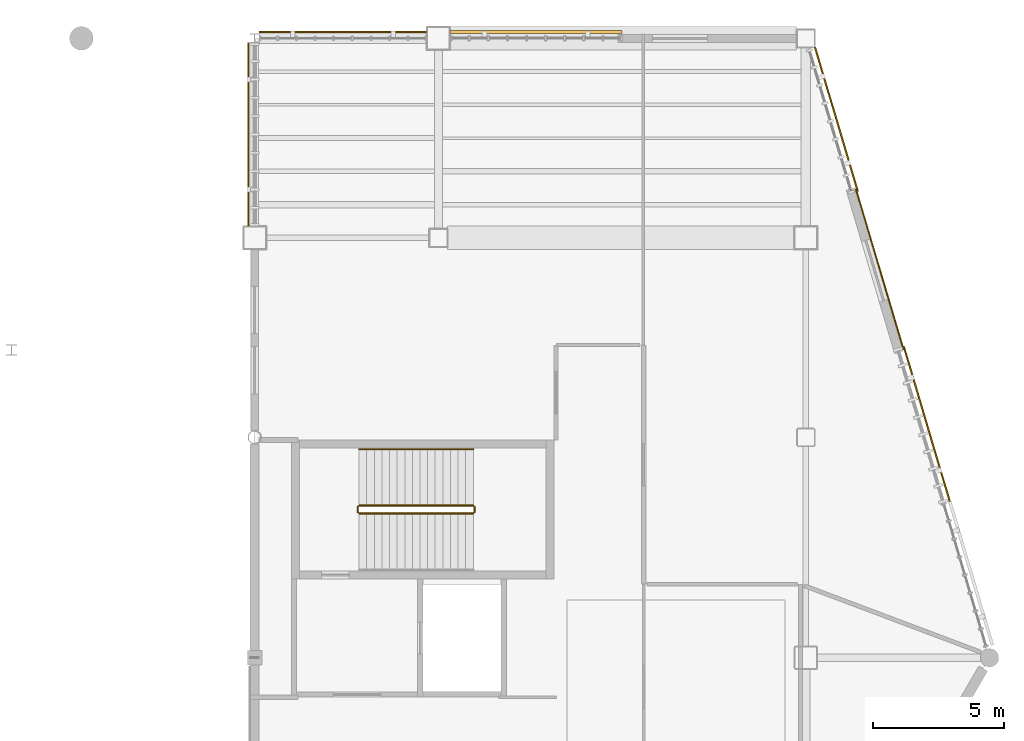
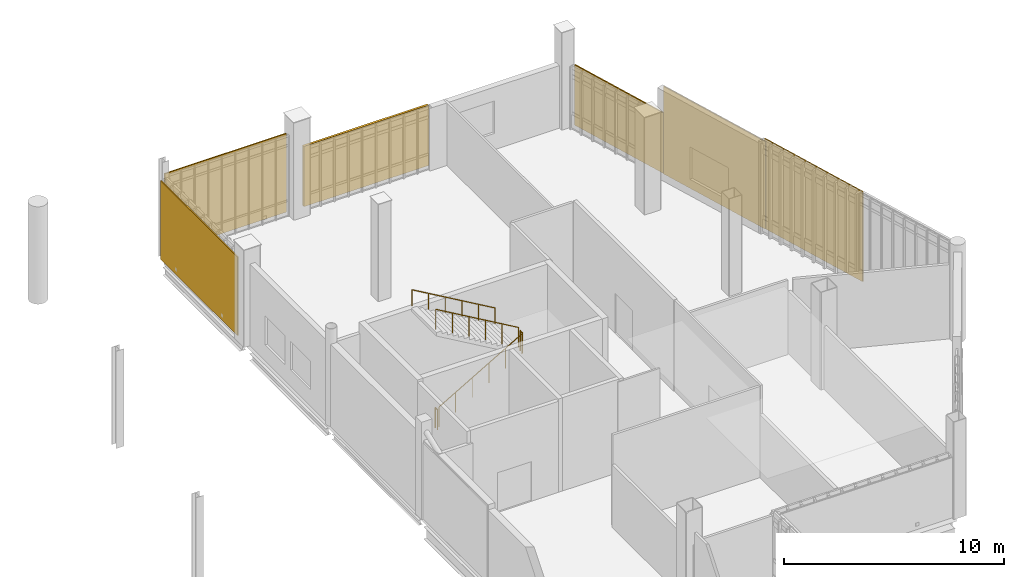
# One storey, part 127 of 127: 5 railings, 5 shading devices, 1 covering.
"""IFC4 building model written with IfcOpenShell, lengths in metres."""

from ifc_helpers import new_model, si_unit, direction, frame, origin, origin_2d, place, context, subcontext, project, spatial, rectangle, circle, extrude, material, layer, layer_set, type_object, element, save


model = new_model("IFC4")

# Units and contexts
model_context = context("Model", 3, precision=1e-05, world=origin(), true_north=direction((0.0, 1.0)))
body_context = subcontext(model_context, "Body", "Model", "MODEL_VIEW")
ifc_project = project(units=[si_unit("LENGTHUNIT", "METRE"), si_unit("AREAUNIT", "SQUARE_METRE"), si_unit("VOLUMEUNIT", "CUBIC_METRE"), si_unit("PLANEANGLEUNIT", "RADIAN"), si_unit("MASSUNIT", "GRAM", prefix="KILO")], contexts=[model_context])

# Site, building, storey
site_placement = place(None, origin())
site = spatial("IfcSite", under=ifc_project, at=site_placement, CompositionType="ELEMENT")
building_placement = place(site_placement, origin())
building = spatial("IfcBuilding", under=site, at=building_placement, Name="Larkvane Passage Sports Hall", CompositionType="ELEMENT")
storey_placement = place(building_placement, frame((0.0, 0.0, 5.39990234375)))
storey = spatial("IfcBuildingStorey", under=building, at=storey_placement, Name="L01", CompositionType="ELEMENT", Elevation=5.39990234375)

# Covering
ifc_material_1 = material(Name="Perforated anodised aluminium 5052-H32", Category="aluminium")
ifc_layer_1 = layer(ifc_material_1, 0.050048828125)
ifc_layer_set_1 = layer_set([ifc_layer_1], Name="Perforated anodised aluminium 5052-H32")
covering_type = type_object("IfcCoveringType", Name="COV-MESH-VEIL", PredefinedType="CLADDING", material=ifc_layer_set_1)
covering_placement = place(storey_placement, frame((148.414306640625, 90.40625, 0.074951171875), z_axis=(0.0, 0.0, 1.0), x_axis=(0.284364947432, -0.958716108487, 0.0)))
element("IfcCovering", 1, at=covering_placement, inside=storey, type_object=covering_type, Name="Perforated cladding cassette L01-092", PredefinedType="CLADDING", context=body_context, shape_type="SweptSolid", body=[
    extrude(rectangle(XDim=6.38525390625, YDim=0.050048828125, at=origin_2d()), origin(), (0.0, 0.0, 1.0), 4.85009765625),
])

# Railings
ifc_material_2 = material(Name="Steel S355JR", Category="steel")
railing_type_1 = type_object("IfcRailingType", Name="RL-GUARD-1120", PredefinedType="GUARDRAIL", material=ifc_material_2)
railing_1_placement = place(storey_placement, frame((128.580078125, 81.10009765625, 0.1689453125)))
element("IfcRailing", 2, at=railing_1_placement, inside=storey, type_object=railing_type_1, Name="L01 ST-06 stair guard 1", PredefinedType="GUARDRAIL", context=body_context, shape_type="SweptSolid", body=[
    extrude(circle(Radius=0.02392578125, at=origin_2d()), frame((0.001708984375, 0.0, 1.09716796875), z_axis=(0.864311530196, 0.0, 0.502956835891), x_axis=(0.0, 1.0, 0.0)), (0.0, 0.0, 1.0), 5.02880859375),
    extrude(circle(Radius=0.02099609375, at=origin_2d()), origin(), (0.0, 0.0, 1.0), 1.072021484375),
    extrude(circle(Radius=0.02099609375, at=origin_2d()), frame((0.869873046875, 0.0, 0.50634765625)), (0.0, 0.0, 1.0), 1.072021484375),
    extrude(circle(Radius=0.02099609375, at=origin_2d()), frame((1.739990234375, 0.0, 1.012451171875)), (0.0, 0.0, 1.0), 1.072021484375),
    extrude(circle(Radius=0.02099609375, at=origin_2d()), frame((2.60986328125, 0.0, 1.518798828125)), (0.0, 0.0, 1.0), 1.072021484375),
    extrude(circle(Radius=0.02099609375, at=origin_2d()), frame((3.47998046875, 0.0, 2.02490234375)), (0.0, 0.0, 1.0), 1.072021484375),
    extrude(circle(Radius=0.02099609375, at=origin_2d()), frame((4.349853515625, 0.0, 2.53125)), (0.0, 0.0, 1.0), 1.072021484375),
])
railing_2_placement = place(storey_placement, frame((132.97998046875, 81.14990234375, 2.7001953125)))
element("IfcRailing", 3, at=railing_2_placement, inside=storey, type_object=railing_type_1, Name="L01 ST-06 stair guard 2", PredefinedType="GUARDRAIL", context=body_context, shape_type="SweptSolid", body=[
    extrude(circle(Radius=0.02392578125, at=origin_2d()), frame((0.0, 0.001953125, 1.09619140625), z_axis=(0.0, 1.0, 0.0), x_axis=(-1.0, 0.0, 0.0)), (0.0, 0.0, 1.0), 0.1962890625),
    extrude(circle(Radius=0.02099609375, at=origin_2d()), origin(), (0.0, 0.0, 1.0), 1.072021484375),
    extrude(circle(Radius=0.02099609375, at=origin_2d()), frame((0.0, 0.2001953125, 0.0)), (0.0, 0.0, 1.0), 1.072021484375),
])
railing_3_placement = place(storey_placement, frame((132.929931640625, 81.39990234375, 2.868896484375)))
element("IfcRailing", 4, at=railing_3_placement, inside=storey, type_object=railing_type_1, Name="L01 ST-06 stair guard 3", PredefinedType="GUARDRAIL", context=body_context, shape_type="SweptSolid", body=[
    extrude(circle(Radius=0.02392578125, at=origin_2d()), frame((-0.001708984375, 0.0, 1.09716796875), z_axis=(-0.864311530196, 0.0, 0.502956835891), x_axis=(0.0, -1.0, 0.0)), (0.0, 0.0, 1.0), 5.02880859375),
    extrude(circle(Radius=0.02099609375, at=origin_2d()), origin(), (0.0, 0.0, 1.0), 1.072021484375),
    extrude(circle(Radius=0.02099609375, at=origin_2d()), frame((-0.869873046875, 0.0, 0.50634765625)), (0.0, 0.0, 1.0), 1.072021484375),
    extrude(circle(Radius=0.02099609375, at=origin_2d()), frame((-1.739990234375, 0.0, 1.012451171875)), (0.0, 0.0, 1.0), 1.072021484375),
    extrude(circle(Radius=0.02099609375, at=origin_2d()), frame((-2.60986328125, 0.0, 1.518798828125)), (0.0, 0.0, 1.0), 1.072021484375),
    extrude(circle(Radius=0.02099609375, at=origin_2d()), frame((-3.47998046875, 0.0, 2.02490234375)), (0.0, 0.0, 1.0), 1.072021484375),
    extrude(circle(Radius=0.02099609375, at=origin_2d()), frame((-4.349853515625, 0.0, 2.53125)), (0.0, 0.0, 1.0), 1.072021484375),
])
railing_4_placement = place(storey_placement, frame((128.530029296875, 81.14990234375, 0.0)))
element("IfcRailing", 5, at=railing_4_placement, inside=storey, type_object=railing_type_1, Name="L01 ST-06 stair guard 4", PredefinedType="GUARDRAIL", context=body_context, shape_type="SweptSolid", body=[
    extrude(circle(Radius=0.02392578125, at=origin_2d()), frame((0.0, 0.001953125, 1.09619140625), z_axis=(0.0, 1.0, 0.0), x_axis=(-1.0, 0.0, 0.0)), (0.0, 0.0, 1.0), 0.1962890625),
    extrude(circle(Radius=0.02099609375, at=origin_2d()), origin(), (0.0, 0.0, 1.0), 1.072021484375),
    extrude(circle(Radius=0.02099609375, at=origin_2d()), frame((0.0, 0.2001953125, 0.0)), (0.0, 0.0, 1.0), 1.072021484375),
])
ifc_material_3 = material(Name="Stainless steel S355JR", Category="steel")
railing_type_2 = type_object("IfcRailingType", Name="RL-HAND-920", PredefinedType="HANDRAIL", material=ifc_material_3)
railing_5_placement = place(storey_placement, frame((132.929931640625, 83.550048828125, 2.868896484375)))
element("IfcRailing", 6, at=railing_5_placement, inside=storey, type_object=railing_type_2, Name="L01 ST-06 stair handrail 2", PredefinedType="HANDRAIL", context=body_context, shape_type="SweptSolid", body=[
    extrude(circle(Radius=0.02392578125, at=origin_2d()), frame((-0.001708984375, 0.0, 0.876953125), z_axis=(-0.864311530196, 0.0, 0.502956835891), x_axis=(0.0, -1.0, 0.0)), (0.0, 0.0, 1.0), 5.02880859375),
    extrude(circle(Radius=0.02099609375, at=origin_2d()), origin(), (0.0, 0.0, 1.0), 0.851806640625),
    extrude(circle(Radius=0.02099609375, at=origin_2d()), frame((-0.869873046875, 0.0, 0.50634765625)), (0.0, 0.0, 1.0), 0.851806640625),
    extrude(circle(Radius=0.02099609375, at=origin_2d()), frame((-1.739990234375, 0.0, 1.012451171875)), (0.0, 0.0, 1.0), 0.851806640625),
    extrude(circle(Radius=0.02099609375, at=origin_2d()), frame((-2.60986328125, 0.0, 1.518798828125)), (0.0, 0.0, 1.0), 0.851806640625),
    extrude(circle(Radius=0.02099609375, at=origin_2d()), frame((-3.47998046875, 0.0, 2.02490234375)), (0.0, 0.0, 1.0), 0.851806640625),
    extrude(circle(Radius=0.02099609375, at=origin_2d()), frame((-4.349853515625, 0.0, 2.53125)), (0.0, 0.0, 1.0), 0.851806640625),
])

# Shading devices
ifc_material_4 = material(Name="Extruded aluminium 6063-T6", Category="aluminium")
ifc_layer_2 = layer(ifc_material_4, 0.1201171875)
ifc_layer_set_2 = layer_set([ifc_layer_2], Name="Extruded aluminium 6063-T6")
shading_device_type_1 = type_object("IfcShadingDeviceType", Name="SHD-LOUVRE-STORM", PredefinedType="JALOUSIE", material=ifc_layer_set_2)
shading_device_1_placement = place(storey_placement, frame((135.322998046875, 99.43994140625, 0.06005859375), z_axis=(0.0, 0.0, 1.0), x_axis=(1.0, 0.0, 0.0)))
element("IfcShadingDevice", 7, at=shading_device_1_placement, inside=storey, type_object=shading_device_type_1, Name="Solar veil screen L01-033", PredefinedType="JALOUSIE", context=body_context, shape_type="SweptSolid", body=[
    extrude(rectangle(XDim=6.553955078125, YDim=0.1201171875, at=origin_2d()), origin(), (0.0, 0.0, 1.0), 3.347900390625),
])
ifc_layer_3 = layer(ifc_material_1, 0.06005859375)
ifc_layer_set_3 = layer_set([ifc_layer_3], Name="Perforated anodised aluminium 5052-H32")
shading_device_type_2 = type_object("IfcShadingDeviceType", Name="SHD-VEIL-PERF", PredefinedType="SHUTTER", material=ifc_layer_set_3)
shading_device_2_placement = place(storey_placement, frame((124.360107421875, 95.53759765625, 0.06005859375), z_axis=(0.0, 0.0, 1.0), x_axis=(0.0, 1.0, 0.0)))
element("IfcShadingDevice", 8, at=shading_device_2_placement, inside=storey, type_object=shading_device_type_2, Name="Solar veil screen L01-031", PredefinedType="SHUTTER", context=body_context, shape_type="SweptSolid", body=[
    extrude(rectangle(XDim=6.98291015625, YDim=0.06005859375, at=origin_2d()), origin(), (0.0, 0.0, 1.0), 4.360107421875),
])
shading_device_3_placement = place(storey_placement, frame((127.96240234375, 99.43994140625, 0.06005859375), z_axis=(0.0, 0.0, 1.0), x_axis=(1.0, 0.0, 0.0)))
element("IfcShadingDevice", 9, at=shading_device_3_placement, inside=storey, type_object=shading_device_type_2, Name="Solar veil screen L01-032", PredefinedType="SHUTTER", context=body_context, shape_type="SweptSolid", body=[
    extrude(rectangle(XDim=6.383056640625, YDim=0.06005859375, at=origin_2d()), origin(), (0.0, 0.0, 1.0), 4.360107421875),
])
shading_device_4_placement = place(storey_placement, frame((146.766357421875, 96.111572265625, 0.06005859375), z_axis=(0.0, 0.0, 1.0), x_axis=(0.284364947432, -0.958716108487, 0.0)))
element("IfcShadingDevice", 10, at=shading_device_4_placement, inside=storey, type_object=shading_device_type_2, Name="Solar veil screen L01-034", PredefinedType="SHUTTER", context=body_context, shape_type="SweptSolid", body=[
    extrude(rectangle(XDim=5.722900390625, YDim=0.06005859375, at=origin_2d()), origin(), (0.0, 0.0, 1.0), 3.347900390625),
])
shading_device_5_placement = place(storey_placement, frame((150.205078125, 84.518310546875, 0.06005859375), z_axis=(0.0, 0.0, 1.0), x_axis=(0.284364947432, -0.958716108487, 0.0)))
element("IfcShadingDevice", 11, at=shading_device_5_placement, inside=storey, type_object=shading_device_type_2, Name="Solar veil screen L01-035", PredefinedType="SHUTTER", context=body_context, shape_type="SweptSolid", body=[
    extrude(rectangle(XDim=6.154052734375, YDim=0.06005859375, at=origin_2d()), origin(), (0.0, 0.0, 1.0), 4.97998046875),
])

save(model, "model.ifc")
